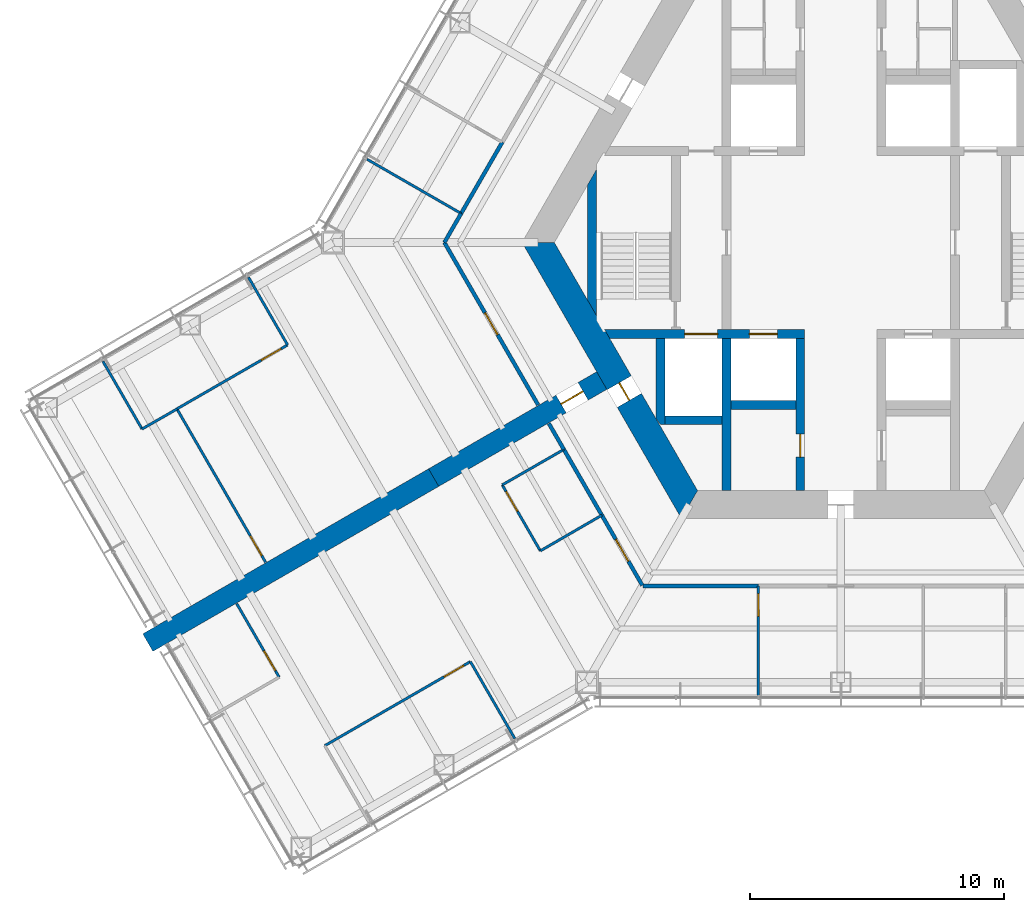
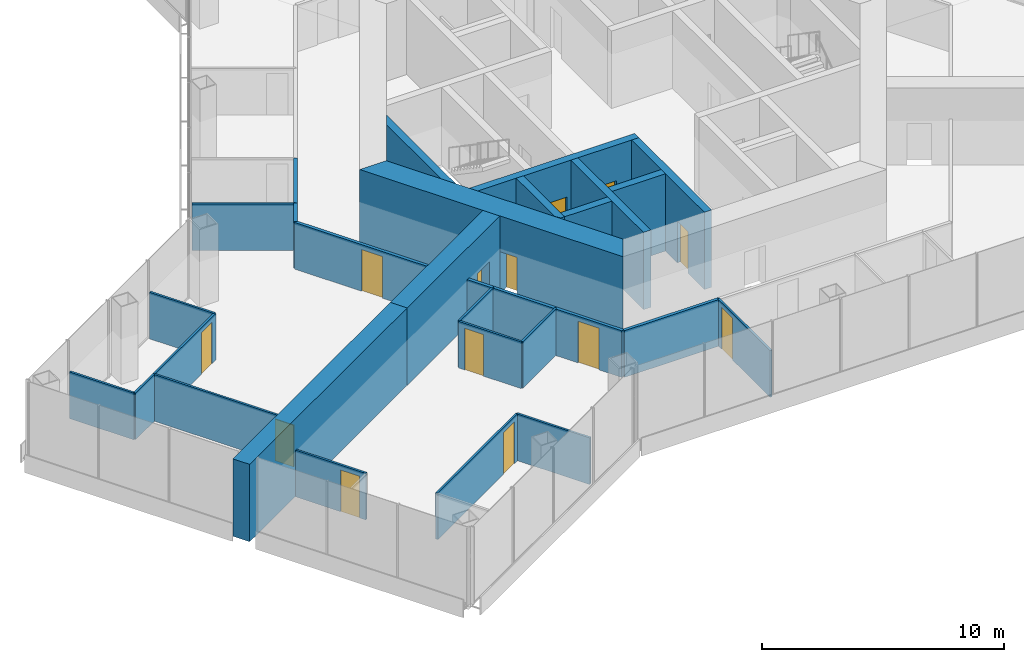
# One storey, part 12 of 18: 30 walls, 13 doors, 13 openings.
"""IFC4 building model written with IfcOpenShell, lengths in metres."""

from ifc_helpers import new_model, si_unit, direction, frame, frame_2d, origin, place, context, subcontext, project, spatial, polyline, rectangle, outline, extrude, material, layer, layer_set, type_object, element, fill, save


model = new_model("IFC4")

# Units and contexts
model_context = context("Model", 3, precision=1e-05, world=origin(), true_north=direction((0.0, 1.0)))
body_context = subcontext(model_context, "Body", "Model", "MODEL_VIEW")
ifc_project = project(units=[si_unit("LENGTHUNIT", "METRE"), si_unit("AREAUNIT", "SQUARE_METRE"), si_unit("VOLUMEUNIT", "CUBIC_METRE"), si_unit("PLANEANGLEUNIT", "RADIAN"), si_unit("MASSUNIT", "GRAM", prefix="KILO")], contexts=[model_context])

# Site, building, storey
site_placement = place(None, origin())
site = spatial("IfcSite", under=ifc_project, at=site_placement, CompositionType="ELEMENT")
building_placement = place(site_placement, origin())
building = spatial("IfcBuilding", under=site, at=building_placement, Name="Kasaneha Research Tower", CompositionType="ELEMENT")
storey_placement = place(building_placement, frame((0.0, 0.0, 119.699951171875)))
storey = spatial("IfcBuildingStorey", under=building, at=storey_placement, Name="L30", CompositionType="ELEMENT", Elevation=119.699951171875)

# Wall, openings, doors
ifc_material_1 = material(Name="Concrete Fc80", Category="concrete")
ifc_layer_1 = layer(ifc_material_1, 0.35009765625)
ifc_layer_set_1 = layer_set([ifc_layer_1], Name="Core internal wall 350 Fc80")
wall_type_1 = type_object("IfcWallType", Name="Core internal wall 350 Fc80", PredefinedType="SHEAR", material=ifc_layer_set_1)
wall_1_placement = place(storey_placement, frame((-9.208740234375, -3.60009765625, 0.0), z_axis=(0.0, 0.0, 1.0), x_axis=(1.0, 0.0, 0.0)))
wall_1 = element("IfcWall", 1, at=wall_1_placement, inside=storey, type_object=wall_type_1, Name="Core wall W2W L30", PredefinedType="SHEAR", context=body_context, shape_type="SweptSolid", body=[
    extrude(outline(polyline([(0.10107421875, -0.175048828125), (3.058837890625, -0.175048828125), (4.35888671875, -0.175048828125), (5.608642578125, -0.175048828125), (6.708740234375, -0.175048828125), (7.78369140625, -0.175048828125), (7.78369140625, 0.175048828125), (6.708740234375, 0.175048828125), (5.608642578125, 0.175048828125), (4.35888671875, 0.175048828125), (3.058837890625, 0.175048828125), (-0.10107421875, 0.175048828125), (0.10107421875, -0.175048828125)])), origin(), (0.0, 0.0, 1.0), 3.900146484375),
])
opening_1_placement = place(wall_1_placement, frame((5.608642578125, 0.0, 0.0)))
opening_1 = element("IfcOpeningElement", 2, at=opening_1_placement, cuts=wall_1, Name="Opening LD-LO2-L30", PredefinedType="OPENING", context=body_context, shape_type="SweptSolid", body=[
    extrude(rectangle(XDim=1.10009765625, YDim=2.10009765625, at=frame_2d((0.550048828125, 1.050048828125))), frame((0.0, 0.18505859375, 0.0), z_axis=(0.0, -1.0, 0.0), x_axis=(1.0, 0.0, 0.0)), (0.0, 0.0, 1.0), 0.3701171875),
])
opening_2_placement = place(wall_1_placement, frame((3.058837890625, 0.0, 0.0)))
opening_2 = element("IfcOpeningElement", 3, at=opening_2_placement, cuts=wall_1, Name="Opening LD-FL2-L30", PredefinedType="OPENING", context=body_context, shape_type="SweptSolid", body=[
    extrude(rectangle(XDim=1.300048828125, YDim=2.10009765625, at=frame_2d((0.64990234375, 1.050048828125))), frame((0.0, 0.18505859375, 0.0), z_axis=(0.0, -1.0, 0.0), x_axis=(1.0, 0.0, 0.0)), (0.0, 0.0, 1.0), 0.3701171875),
])
ifc_material_2 = material(Name="Steel", Category="steel")
door_type_1 = type_object("IfcDoorType", Name="Lift landing door 1100x2100", OperationType="DOUBLE_DOOR_SLIDING", PredefinedType="DOOR", material=ifc_material_2)
door_1_placement = place(opening_1_placement, origin())
door_1 = element("IfcDoor", 4, at=door_1_placement, inside=storey, type_object=door_type_1, Name="Landing door LO2 LD-LO2-L30", OperationType="DOUBLE_DOOR_SLIDING", OverallHeight=2.10009765625, OverallWidth=1.10009765625, PredefinedType="DOOR", context=body_context, shape_type="SweptSolid", body=[
    extrude(rectangle(XDim=1.10009765625, YDim=2.10009765625, at=frame_2d((0.550048828125, 1.050048828125))), frame((0.0, 0.02490234375, 0.0), z_axis=(0.0, -1.0, 0.0), x_axis=(1.0, 0.0, 0.0)), (0.0, 0.0, 1.0), 0.050048828125),
])
fill(opening_1, door_1)
ifc_material_3 = material(Name="Steel", Category="steel")
door_type_2 = type_object("IfcDoorType", Name="Lift landing door 1300x2100", OperationType="DOUBLE_DOOR_SLIDING", PredefinedType="DOOR", material=ifc_material_3)
door_2_placement = place(opening_2_placement, origin())
door_2 = element("IfcDoor", 5, at=door_2_placement, inside=storey, type_object=door_type_2, Name="Landing door FL2 LD-FL2-L30", OperationType="DOUBLE_DOOR_SLIDING", OverallHeight=2.10009765625, OverallWidth=1.300048828125, PredefinedType="DOOR", context=body_context, shape_type="SweptSolid", body=[
    extrude(rectangle(XDim=1.300048828125, YDim=2.10009765625, at=frame_2d((0.64990234375, 1.050048828125))), frame((0.0, 0.02490234375, 0.0), z_axis=(0.0, -1.0, 0.0), x_axis=(1.0, 0.0, 0.0)), (0.0, 0.0, 1.0), 0.050048828125),
])
fill(opening_2, door_2)

# Wall, opening, door
wall_2_placement = place(storey_placement, frame((-1.60009765625, -3.77490234375, 0.0), z_axis=(0.0, 0.0, 1.0), x_axis=(0.0, -1.0, 0.0)))
wall_2 = element("IfcWall", 6, at=wall_2_placement, inside=storey, type_object=wall_type_1, Name="Core wall CSW L30", PredefinedType="SHEAR", context=body_context, shape_type="SweptSolid", body=[
    extrude(rectangle(XDim=6.0, YDim=0.35009765625, at=frame_2d((3.0, 0.0))), origin(), (0.0, 0.0, 1.0), 3.900146484375),
])
opening_3_placement = place(wall_2_placement, frame((3.77490234375, 0.0, 0.0)))
opening_3 = element("IfcOpeningElement", 7, at=opening_3_placement, cuts=wall_2, Name="Opening L30-D16", PredefinedType="OPENING", context=body_context, shape_type="SweptSolid", body=[
    extrude(rectangle(XDim=0.89990234375, YDim=2.10009765625, at=frame_2d((0.449951171875, 1.050048828125))), frame((0.0, 0.18505859375, 0.0), z_axis=(0.0, -1.0, 0.0), x_axis=(1.0, 0.0, 0.0)), (0.0, 0.0, 1.0), 0.3701171875),
])
ifc_material_4 = material(Name="Steel", Category="steel")
door_type_3 = type_object("IfcDoorType", Name="Riser access door FD60 900x2100", OperationType="NOTDEFINED", PredefinedType="DOOR", material=ifc_material_4)
door_3_placement = place(opening_3_placement, origin())
door_3 = element("IfcDoor", 8, at=door_3_placement, inside=storey, type_object=door_type_3, Name="Electrical riser door L30-D16", OperationType="SINGLE_SWING_LEFT", OverallHeight=2.10009765625, OverallWidth=0.89990234375, PredefinedType="DOOR", context=body_context, shape_type="SweptSolid", body=[
    extrude(rectangle(XDim=0.89990234375, YDim=2.10009765625, at=frame_2d((0.449951171875, 1.050048828125))), frame((0.0, 0.02490234375, 0.0), z_axis=(0.0, -1.0, 0.0), x_axis=(1.0, 0.0, 0.0)), (0.0, 0.0, 1.0), 0.050048828125),
])
fill(opening_3, door_3)

# Walls
wall_3_placement = place(storey_placement, frame((-4.5, -3.77490234375, 0.0), z_axis=(0.0, 0.0, 1.0), x_axis=(0.0, -1.0, 0.0)))
element("IfcWall", 9, at=wall_3_placement, inside=storey, type_object=wall_type_1, Name="Core wall SSW L30", PredefinedType="SHEAR", context=body_context, shape_type="SweptSolid", body=[
    extrude(rectangle(XDim=6.0, YDim=0.35009765625, at=frame_2d((3.0, 0.0))), origin(), (0.0, 0.0, 1.0), 3.900146484375),
])
wall_4_placement = place(storey_placement, frame((-4.324951171875, -6.39990234375, 0.0), z_axis=(0.0, 0.0, 1.0), x_axis=(1.0, 0.0, 0.0)))
element("IfcWall", 10, at=wall_4_placement, inside=storey, type_object=wall_type_1, Name="Core wall S1S L30", PredefinedType="SHEAR", context=body_context, shape_type="SweptSolid", body=[
    extrude(rectangle(XDim=2.550048828125, YDim=0.35009765625, at=frame_2d((1.27490234375, 0.0))), origin(), (0.0, 0.0, 1.0), 3.900146484375),
])
wall_5_placement = place(storey_placement, frame((-6.925048828125, -7.0, 0.0), z_axis=(0.0, 0.0, 1.0), x_axis=(1.0, 0.0, 0.0)))
element("IfcWall", 11, at=wall_5_placement, inside=storey, type_object=wall_type_1, Name="Core wall F2S L30", PredefinedType="SHEAR", context=body_context, shape_type="SweptSolid", body=[
    extrude(rectangle(XDim=2.25, YDim=0.35009765625, at=frame_2d((1.125, 0.0))), origin(), (0.0, 0.0, 1.0), 3.900146484375),
])
wall_6_placement = place(storey_placement, frame((-7.10009765625, -3.77490234375, 0.0), z_axis=(0.0, 0.0, 1.0), x_axis=(0.0, -1.0, 0.0)))
element("IfcWall", 12, at=wall_6_placement, inside=storey, type_object=wall_type_1, Name="Core wall F2W L30", PredefinedType="SHEAR", context=body_context, shape_type="SweptSolid", body=[
    extrude(outline(polyline([(0.0, -0.175048828125), (3.174560546875, -0.175048828125), (3.400146484375, 0.0), (3.400146484375, 0.175048828125), (0.0, 0.175048828125), (0.0, -0.175048828125)])), origin(), (0.0, 0.0, 1.0), 3.900146484375),
])
wall_7_placement = place(storey_placement, frame((-9.807861328125, -2.562255859375, 0.0), z_axis=(0.0, 0.0, 1.0), x_axis=(0.0, 1.0, 0.0)))
element("IfcWall", 13, at=wall_7_placement, inside=storey, type_object=wall_type_1, Name="Core wall STW L30", PredefinedType="SHEAR", context=body_context, shape_type="SweptSolid", body=[
    extrude(outline(polyline([(-0.30322265625, -0.175048828125), (5.427734375, -0.175048828125), (4.8212890625, 0.175048828125), (0.30322265625, 0.175048828125), (-0.30322265625, -0.175048828125)])), origin(), (0.0, 0.0, 1.0), 3.900146484375),
])

# Wall, opening, door
ifc_material_5 = material(Name="Concrete Fc80", Category="concrete")
ifc_layer_2 = layer(ifc_material_5, 1.10009765625)
ifc_layer_set_2 = layer_set([ifc_layer_2], Name="Core wall 1100 Fc80")
wall_type_2 = type_object("IfcWallType", Name="Core wall 1100 Fc80", PredefinedType="SHEAR", material=ifc_layer_set_2)
wall_8_placement = place(storey_placement, frame((-11.92236328125, 0.0, 0.0), z_axis=(0.0, 0.0, 1.0), x_axis=(0.500004296715, -0.866022923061, 0.0)))
wall_8 = element("IfcWall", 14, at=wall_8_placement, inside=storey, type_object=wall_type_2, Name="Core wall 210 L30", PredefinedType="SHEAR", context=body_context, shape_type="SweptSolid", body=[
    extrude(outline(polyline([(-0.317626953125, -0.550048828125), (6.381103515625, -0.550048828125), (7.18115234375, -0.550048828125), (12.239990234375, -0.550048828125), (11.604736328125, 0.550048828125), (7.18115234375, 0.550048828125), (6.381103515625, 0.550048828125), (0.317626953125, 0.550048828125), (-0.317626953125, -0.550048828125)])), origin(), (0.0, 0.0, 1.0), 3.900146484375),
])
opening_4_placement = place(wall_8_placement, frame((6.381103515625, 0.0, 0.0)))
opening_4 = element("IfcOpeningElement", 15, at=opening_4_placement, cuts=wall_8, Name="Opening L30-D06", PredefinedType="OPENING", context=body_context, shape_type="SweptSolid", body=[
    extrude(rectangle(XDim=0.800048828125, YDim=2.10009765625, at=frame_2d((0.39990234375, 1.050048828125))), frame((0.0, 0.56005859375, 0.0), z_axis=(0.0, -1.0, 0.0), x_axis=(1.0, 0.0, 0.0)), (0.0, 0.0, 1.0), 1.1201171875),
])
ifc_material_6 = material(Name="Steel", Category="steel")
door_type_4 = type_object("IfcDoorType", Name="Riser access door FD60 800x2100", OperationType="NOTDEFINED", PredefinedType="DOOR", material=ifc_material_6)
door_4_placement = place(opening_4_placement, origin())
door_4 = element("IfcDoor", 16, at=door_4_placement, inside=storey, type_object=door_type_4, Name="Duct riser door L30-D06", OperationType="SINGLE_SWING_RIGHT", OverallHeight=2.10009765625, OverallWidth=0.800048828125, PredefinedType="DOOR", context=body_context, shape_type="SweptSolid", body=[
    extrude(rectangle(XDim=0.800048828125, YDim=2.10009765625, at=frame_2d((0.39990234375, 1.050048828125))), frame((0.0, 0.02490234375, 0.0), z_axis=(0.0, -1.0, 0.0), x_axis=(1.0, 0.0, 0.0)), (0.0, 0.0, 1.0), 0.050048828125),
])
fill(opening_4, door_4)

# Walls
ifc_material_7 = material(Name="Gypsum board on steel studs, one layer each side", Category="steel")
ifc_layer_3 = layer(ifc_material_7, 0.10009765625)
ifc_layer_set_3 = layer_set([ifc_layer_3], Name="Office partition 100")
wall_type_3 = type_object("IfcWallType", Name="Office partition 100", PredefinedType="PARTITIONING", material=ifc_layer_set_3)
wall_9_placement = place(storey_placement, frame((-29.065185546875, -4.6796875, 0.0), z_axis=(0.0, 0.0, 1.0), x_axis=(0.500120427123, -0.865955863987, 0.0)))
element("IfcWall", 17, at=wall_9_placement, inside=storey, type_object=wall_type_3, Name="Office partition FBN06 L30", PredefinedType="PARTITIONING", context=body_context, shape_type="SweptSolid", body=[
    extrude(rectangle(XDim=3.079833984375, YDim=0.10009765625, at=frame_2d((1.5400390625, 0.0))), origin(), (0.0, 0.0, 1.0), 2.35009765625),
])
wall_10_placement = place(storey_placement, frame((-27.52490234375, -7.3466796875, 0.0), z_axis=(0.0, 0.0, 1.0), x_axis=(0.867571917523, 0.497311741191, 0.0)))
element("IfcWall", 18, at=wall_10_placement, inside=storey, type_object=wall_type_3, Name="Office partition FBN07 L30", PredefinedType="PARTITIONING", context=body_context, shape_type="SweptSolid", body=[
    extrude(rectangle(XDim=1.591064453125, YDim=0.10009765625, at=frame_2d((0.79541015625, 0.0))), origin(), (0.0, 0.0, 1.0), 2.35009765625),
])

# Wall, opening, door
wall_11_placement = place(storey_placement, frame((-26.151123046875, -6.55419921875, 0.0), z_axis=(0.0, 0.0, 1.0), x_axis=(0.500528756763, -0.865719910625, 0.0)))
wall_11 = element("IfcWall", 19, at=wall_11_placement, inside=storey, type_object=wall_type_3, Name="Office partition FBN08 L30", PredefinedType="PARTITIONING", context=body_context, shape_type="SweptSolid", body=[
    extrude(rectangle(XDim=6.9794921875, YDim=0.10009765625, at=frame_2d((3.48974609375, 0.0))), origin(), (0.0, 0.0, 1.0), 2.35009765625),
])
opening_5_placement = place(wall_11_placement, frame((5.779541015625, 0.0, 0.0)))
opening_5 = element("IfcOpeningElement", 20, at=opening_5_placement, cuts=wall_11, Name="Opening L30-D36", PredefinedType="OPENING", context=body_context, shape_type="SweptSolid", body=[
    extrude(rectangle(XDim=0.89990234375, YDim=2.10009765625, at=frame_2d((0.449951171875, 1.050048828125))), frame((0.0, 0.06005859375, 0.0), z_axis=(0.0, -1.0, 0.0), x_axis=(1.0, 0.0, 0.0)), (0.0, 0.0, 1.0), 0.1201171875),
])
ifc_material_8 = material(Name="Timber veneer", Category="wood")
door_type_5 = type_object("IfcDoorType", Name="Office door 900x2100", OperationType="SINGLE_SWING_LEFT", PredefinedType="DOOR", material=ifc_material_8)
door_5_placement = place(opening_5_placement, origin())
door_5 = element("IfcDoor", 21, at=door_5_placement, inside=storey, type_object=door_type_5, Name="Large meeting room door L30-D36", OperationType="SINGLE_SWING_RIGHT", OverallHeight=2.10009765625, OverallWidth=0.89990234375, PredefinedType="DOOR", context=body_context, shape_type="SweptSolid", body=[
    extrude(rectangle(XDim=0.89990234375, YDim=2.10009765625, at=frame_2d((0.449951171875, 1.050048828125))), frame((0.0, 0.02490234375, 0.0), z_axis=(0.0, -1.0, 0.0), x_axis=(1.0, 0.0, 0.0)), (0.0, 0.0, 1.0), 0.050048828125),
])
fill(opening_5, door_5)

# Walls
wall_12_placement = place(storey_placement, frame((-14.957275390625, 1.143310546875, 0.0), z_axis=(0.0, 0.0, 1.0), x_axis=(-0.86652666665, 0.499130780441, 0.0)))
element("IfcWall", 22, at=wall_12_placement, inside=storey, type_object=wall_type_3, Name="Office partition FBN10 L30", PredefinedType="PARTITIONING", context=body_context, shape_type="SweptSolid", body=[
    extrude(rectangle(XDim=4.275390625, YDim=0.10009765625, at=frame_2d((2.1376953125, 0.0))), origin(), (0.0, 0.0, 1.0), 2.35009765625),
])
wall_13_placement = place(storey_placement, frame((-23.332275390625, -1.36962890625, 0.0), z_axis=(0.0, 0.0, 1.0), x_axis=(0.499992328818, -0.866029832698, 0.0)))
element("IfcWall", 23, at=wall_13_placement, inside=storey, type_object=wall_type_3, Name="Office partition FBN12 L30", PredefinedType="PARTITIONING", context=body_context, shape_type="SweptSolid", body=[
    extrude(rectangle(XDim=3.080078125, YDim=0.10009765625, at=frame_2d((1.5400390625, 0.0))), origin(), (0.0, 0.0, 1.0), 2.35009765625),
])

# Wall, opening, door
wall_14_placement = place(storey_placement, frame((-21.792236328125, -4.037109375, 0.0), z_axis=(0.0, 0.0, 1.0), x_axis=(-0.866037775365, -0.499978571182, 0.0)))
wall_14 = element("IfcWall", 24, at=wall_14_placement, inside=storey, type_object=wall_type_3, Name="Office partition FBN13 L30", PredefinedType="PARTITIONING", context=body_context, shape_type="SweptSolid", body=[
    extrude(rectangle(XDim=5.033447265625, YDim=0.10009765625, at=frame_2d((2.5166015625, 0.0))), origin(), (0.0, 0.0, 1.0), 2.35009765625),
])
opening_6_placement = place(wall_14_placement, frame((0.300048828125, 0.0, 0.0)))
opening_6 = element("IfcOpeningElement", 25, at=opening_6_placement, cuts=wall_14, Name="Opening L30-D39", PredefinedType="OPENING", context=body_context, shape_type="SweptSolid", body=[
    extrude(rectangle(XDim=0.89990234375, YDim=2.10009765625, at=frame_2d((0.449951171875, 1.050048828125))), frame((0.0, 0.06005859375, 0.0), z_axis=(0.0, -1.0, 0.0), x_axis=(1.0, 0.0, 0.0)), (0.0, 0.0, 1.0), 0.1201171875),
])
door_6_placement = place(opening_6_placement, origin())
door_6 = element("IfcDoor", 26, at=door_6_placement, inside=storey, type_object=door_type_5, Name="Manager's office door L30-D39", OperationType="SINGLE_SWING_LEFT", OverallHeight=2.10009765625, OverallWidth=0.89990234375, PredefinedType="DOOR", context=body_context, shape_type="SweptSolid", body=[
    extrude(rectangle(XDim=0.89990234375, YDim=2.10009765625, at=frame_2d((0.449951171875, 1.050048828125))), frame((0.0, 0.02490234375, 0.0), z_axis=(0.0, -1.0, 0.0), x_axis=(1.0, 0.0, 0.0)), (0.0, 0.0, 1.0), 0.050048828125),
])
fill(opening_6, door_6)

# Wall
wall_15_placement = place(storey_placement, frame((-13.337890625, -9.548095703125, 0.0), z_axis=(0.0, 0.0, 1.0), x_axis=(0.866833758708, 0.498597267105, 0.0)))
element("IfcWall", 27, at=wall_15_placement, inside=storey, type_object=wall_type_3, Name="Office partition FBS04 L30", PredefinedType="PARTITIONING", context=body_context, shape_type="SweptSolid", body=[
    extrude(rectangle(XDim=2.7998046875, YDim=0.10009765625, at=frame_2d((1.39990234375, 0.0))), origin(), (0.0, 0.0, 1.0), 2.35009765625),
])

# Wall, opening, door
wall_16_placement = place(storey_placement, frame((-11.837890625, -12.146240234375, 0.0), z_axis=(0.0, 0.0, 1.0), x_axis=(-0.499990139034, 0.866031096941, 0.0)))
wall_16 = element("IfcWall", 28, at=wall_16_placement, inside=storey, type_object=wall_type_3, Name="Office partition FBS05 L30", PredefinedType="PARTITIONING", context=body_context, shape_type="SweptSolid", body=[
    extrude(rectangle(XDim=3.0, YDim=0.10009765625, at=frame_2d((1.5, 0.0))), origin(), (0.0, 0.0, 1.0), 2.35009765625),
])
opening_7_placement = place(wall_16_placement, frame((1.800048828125, 0.0, 0.0)))
opening_7 = element("IfcOpeningElement", 29, at=opening_7_placement, cuts=wall_16, Name="Opening L30-D41", PredefinedType="OPENING", context=body_context, shape_type="SweptSolid", body=[
    extrude(rectangle(XDim=0.89990234375, YDim=2.10009765625, at=frame_2d((0.449951171875, 1.050048828125))), frame((0.0, 0.06005859375, 0.0), z_axis=(0.0, -1.0, 0.0), x_axis=(1.0, 0.0, 0.0)), (0.0, 0.0, 1.0), 0.1201171875),
])
door_7_placement = place(opening_7_placement, origin())
door_7 = element("IfcDoor", 30, at=door_7_placement, inside=storey, type_object=door_type_5, Name="Pantry door L30-D41", OperationType="SINGLE_SWING_RIGHT", OverallHeight=2.10009765625, OverallWidth=0.89990234375, PredefinedType="DOOR", context=body_context, shape_type="SweptSolid", body=[
    extrude(rectangle(XDim=0.89990234375, YDim=2.10009765625, at=frame_2d((0.449951171875, 1.050048828125))), frame((0.0, 0.02490234375, 0.0), z_axis=(0.0, -1.0, 0.0), x_axis=(1.0, 0.0, 0.0)), (0.0, 0.0, 1.0), 0.050048828125),
])
fill(opening_7, door_7)

# Wall
wall_17_placement = place(storey_placement, frame((-9.415283203125, -10.7421875, 0.0), z_axis=(0.0, 0.0, 1.0), x_axis=(-0.865195372903, -0.501434907746, 0.0)))
element("IfcWall", 31, at=wall_17_placement, inside=storey, type_object=wall_type_3, Name="Office partition FBS06 L30", PredefinedType="PARTITIONING", context=body_context, shape_type="SweptSolid", body=[
    extrude(rectangle(XDim=2.800048828125, YDim=0.10009765625, at=frame_2d((1.39990234375, 0.0))), origin(), (0.0, 0.0, 1.0), 2.35009765625),
])

# Wall, opening, door
wall_18_placement = place(storey_placement, frame((-20.324951171875, -19.8173828125, 0.0), z_axis=(0.0, 0.0, 1.0), x_axis=(0.866037567856, 0.499978930619, 0.0)))
wall_18 = element("IfcWall", 32, at=wall_18_placement, inside=storey, type_object=wall_type_3, Name="Office partition FBS07 L30", PredefinedType="PARTITIONING", context=body_context, shape_type="SweptSolid", body=[
    extrude(rectangle(XDim=6.619384765625, YDim=0.10009765625, at=frame_2d((3.3095703125, 0.0))), origin(), (0.0, 0.0, 1.0), 2.35009765625),
])
opening_8_placement = place(wall_18_placement, frame((5.419677734375, 0.0, 0.0)))
opening_8 = element("IfcOpeningElement", 33, at=opening_8_placement, cuts=wall_18, Name="Opening L30-D42", PredefinedType="OPENING", context=body_context, shape_type="SweptSolid", body=[
    extrude(rectangle(XDim=0.89990234375, YDim=2.10009765625, at=frame_2d((0.449951171875, 1.050048828125))), frame((0.0, 0.06005859375, 0.0), z_axis=(0.0, -1.0, 0.0), x_axis=(1.0, 0.0, 0.0)), (0.0, 0.0, 1.0), 0.1201171875),
])
door_8_placement = place(opening_8_placement, origin())
door_8 = element("IfcDoor", 34, at=door_8_placement, inside=storey, type_object=door_type_5, Name="Meeting room door L30-D42", OperationType="SINGLE_SWING_RIGHT", OverallHeight=2.10009765625, OverallWidth=0.89990234375, PredefinedType="DOOR", context=body_context, shape_type="SweptSolid", body=[
    extrude(rectangle(XDim=0.89990234375, YDim=2.10009765625, at=frame_2d((0.449951171875, 1.050048828125))), frame((0.0, 0.02490234375, 0.0), z_axis=(0.0, -1.0, 0.0), x_axis=(1.0, 0.0, 0.0)), (0.0, 0.0, 1.0), 0.050048828125),
])
fill(opening_8, door_8)

# Wall
wall_19_placement = place(storey_placement, frame((-14.59228515625, -16.5078125, 0.0), z_axis=(0.0, 0.0, 1.0), x_axis=(0.500010275428, -0.866019471182, 0.0)))
element("IfcWall", 35, at=wall_19_placement, inside=storey, type_object=wall_type_3, Name="Office partition FBS09 L30", PredefinedType="PARTITIONING", context=body_context, shape_type="SweptSolid", body=[
    extrude(rectangle(XDim=3.5, YDim=0.10009765625, at=frame_2d((1.75, 0.0))), origin(), (0.0, 0.0, 1.0), 2.35009765625),
])

# Wall, opening, door
wall_20_placement = place(storey_placement, frame((-23.796630859375, -14.22412109375, 0.0), z_axis=(0.0, 0.0, 1.0), x_axis=(0.500015043844, -0.866016718043, 0.0)))
wall_20 = element("IfcWall", 36, at=wall_20_placement, inside=storey, type_object=wall_type_3, Name="Office partition FBS10 L30", PredefinedType="PARTITIONING", context=body_context, shape_type="SweptSolid", body=[
    extrude(rectangle(XDim=3.3466796875, YDim=0.10009765625, at=frame_2d((1.67333984375, 0.0))), origin(), (0.0, 0.0, 1.0), 2.35009765625),
])
opening_9_placement = place(wall_20_placement, frame((2.146728515625, 0.0, 0.0)))
opening_9 = element("IfcOpeningElement", 37, at=opening_9_placement, cuts=wall_20, Name="Opening L30-D43", PredefinedType="OPENING", context=body_context, shape_type="SweptSolid", body=[
    extrude(rectangle(XDim=0.89990234375, YDim=2.10009765625, at=frame_2d((0.449951171875, 1.050048828125))), frame((0.0, 0.06005859375, 0.0), z_axis=(0.0, -1.0, 0.0), x_axis=(1.0, 0.0, 0.0)), (0.0, 0.0, 1.0), 0.1201171875),
])
door_9_placement = place(opening_9_placement, origin())
door_9 = element("IfcDoor", 38, at=door_9_placement, inside=storey, type_object=door_type_5, Name="Project room door L30-D43", OperationType="SINGLE_SWING_RIGHT", OverallHeight=2.10009765625, OverallWidth=0.89990234375, PredefinedType="DOOR", context=body_context, shape_type="SweptSolid", body=[
    extrude(rectangle(XDim=0.89990234375, YDim=2.10009765625, at=frame_2d((0.449951171875, 1.050048828125))), frame((0.0, 0.02490234375, 0.0), z_axis=(0.0, -1.0, 0.0), x_axis=(1.0, 0.0, 0.0)), (0.0, 0.0, 1.0), 0.050048828125),
])
fill(opening_9, door_9)

wall_21_placement = place(storey_placement, frame((-3.2509765625, -13.52490234375, 0.0), z_axis=(0.0, 0.0, 1.0), x_axis=(0.00107362768, -0.999999423662, 0.0)))
wall_21 = element("IfcWall", 39, at=wall_21_placement, inside=storey, type_object=wall_type_3, Name="Office partition FCS11 L30", PredefinedType="PARTITIONING", context=body_context, shape_type="SweptSolid", body=[
    extrude(rectangle(XDim=4.320556640625, YDim=0.10009765625, at=frame_2d((2.16015625, 0.0))), origin(), (0.0, 0.0, 1.0), 2.35009765625),
])
opening_10_placement = place(wall_21_placement, frame((0.300048828125, 0.0, 0.0)))
opening_10 = element("IfcOpeningElement", 40, at=opening_10_placement, cuts=wall_21, Name="Opening L30-D51", PredefinedType="OPENING", context=body_context, shape_type="SweptSolid", body=[
    extrude(rectangle(XDim=0.89990234375, YDim=2.10009765625, at=frame_2d((0.449951171875, 1.050048828125))), frame((0.0, 0.06005859375, 0.0), z_axis=(0.0, -1.0, 0.0), x_axis=(1.0, 0.0, 0.0)), (0.0, 0.0, 1.0), 0.1201171875),
])
door_10_placement = place(opening_10_placement, origin())
door_10 = element("IfcDoor", 41, at=door_10_placement, inside=storey, type_object=door_type_5, Name="Manager's office door L30-D51", OperationType="SINGLE_SWING_LEFT", OverallHeight=2.10009765625, OverallWidth=0.89990234375, PredefinedType="DOOR", context=body_context, shape_type="SweptSolid", body=[
    extrude(rectangle(XDim=0.89990234375, YDim=2.10009765625, at=frame_2d((0.449951171875, 1.050048828125))), frame((0.0, 0.02490234375, 0.0), z_axis=(0.0, -1.0, 0.0), x_axis=(1.0, 0.0, 0.0)), (0.0, 0.0, 1.0), 0.050048828125),
])
fill(opening_10, door_10)

ifc_material_9 = material(Name="Concrete Fc80", Category="concrete")
ifc_layer_4 = layer(ifc_material_9, 0.800048828125)
ifc_layer_set_4 = layer_set([ifc_layer_4], Name="Spine wall 800 Fc80")
wall_type_4 = type_object("IfcWallType", Name="Spine wall 800 Fc80", PredefinedType="SHEAR", material=ifc_layer_set_4)
wall_22_placement = place(storey_placement, frame((-9.41796875, -5.4375, 0.0), z_axis=(0.0, 0.0, 1.0), x_axis=(-0.866029782078, -0.499992416496, 0.0)))
wall_22 = element("IfcWall", 42, at=wall_22_placement, inside=storey, type_object=wall_type_4, Name="Spine wall B L30", PredefinedType="SHEAR", context=body_context, shape_type="SweptSolid", body=[
    extrude(rectangle(XDim=7.6455078125, YDim=0.800048828125, at=frame_2d((3.82275390625, 0.0))), origin(), (0.0, 0.0, 1.0), 3.900146484375),
])
opening_11_placement = place(wall_22_placement, frame((0.85009765625, 0.0, 0.0)))
opening_11 = element("IfcOpeningElement", 43, at=opening_11_placement, cuts=wall_22, Name="Opening L30-D18", PredefinedType="OPENING", context=body_context, shape_type="SweptSolid", body=[
    extrude(rectangle(XDim=1.0, YDim=2.10009765625, at=frame_2d((0.5, 1.050048828125))), frame((0.0, 0.41015625, 0.0), z_axis=(0.0, -1.0, 0.0), x_axis=(1.0, 0.0, 0.0)), (0.0, 0.0, 1.0), 0.820068359375),
])
ifc_material_10 = material(Name="Steel", Category="steel")
door_type_6 = type_object("IfcDoorType", Name="Specified fire door FD60 1000x2100", OperationType="NOTDEFINED", PredefinedType="DOOR", material=ifc_material_10)
door_11_placement = place(opening_11_placement, origin())
door_11 = element("IfcDoor", 44, at=door_11_placement, inside=storey, type_object=door_type_6, Name="Spine doorway B L30-D18", OperationType="SINGLE_SWING_LEFT", OverallHeight=2.10009765625, OverallWidth=1.0, PredefinedType="DOOR", context=body_context, shape_type="SweptSolid", body=[
    extrude(rectangle(XDim=1.0, YDim=2.10009765625, at=frame_2d((0.5, 1.050048828125))), frame((0.0, 0.02490234375, 0.0), z_axis=(0.0, -1.0, 0.0), x_axis=(1.0, 0.0, 0.0)), (0.0, 0.0, 1.0), 0.050048828125),
])
fill(opening_11, door_11)

# Walls
wall_23_placement = place(storey_placement, frame((-16.039306640625, -9.26025390625, 0.0), z_axis=(0.0, 0.0, 1.0), x_axis=(-0.866024837091, -0.50000098154, 0.0)))
element("IfcWall", 45, at=wall_23_placement, inside=storey, type_object=wall_type_4, Name="Spine wall B wing L30", PredefinedType="SHEAR", context=body_context, shape_type="SweptSolid", body=[
    extrude(rectangle(XDim=13.0, YDim=0.800048828125, at=frame_2d((6.5, 0.0))), origin(), (0.0, 0.0, 1.0), 3.900146484375),
])
ifc_material_11 = material(Name="Gypsum board on steel studs, two layers each side", Category="steel")
ifc_layer_5 = layer(ifc_material_11, 0.14990234375)
ifc_layer_set_5 = layer_set([ifc_layer_5], Name="Suite partition 150")
wall_type_5 = type_object("IfcWallType", Name="Suite partition 150", PredefinedType="PARTITIONING", material=ifc_layer_set_5)
wall_24_placement = place(storey_placement, frame((-14.9619140625, 1.13525390625, 0.0), z_axis=(0.0, 0.0, 1.0), x_axis=(0.500001520505, 0.866024525919, 0.0)))
element("IfcWall", 46, at=wall_24_placement, inside=storey, type_object=wall_type_5, Name="Suite partition FBN02 L30", PredefinedType="PARTITIONING", context=body_context, shape_type="SweptSolid", body=[
    extrude(rectangle(XDim=3.25634765625, YDim=0.14990234375, at=frame_2d((1.628173828125, 0.0))), origin(), (0.0, 0.0, 1.0), 2.35009765625),
])
wall_25_placement = place(storey_placement, frame((-15.6171875, 0.0, 0.0), z_axis=(0.0, 0.0, 1.0), x_axis=(0.499898558967, 0.866083962871, 0.0)))
element("IfcWall", 47, at=wall_25_placement, inside=storey, type_object=wall_type_5, Name="Suite partition FBN03 L30", PredefinedType="PARTITIONING", context=body_context, shape_type="SweptSolid", body=[
    extrude(rectangle(XDim=1.320068359375, YDim=0.14990234375, at=frame_2d((0.66015625, 0.0))), origin(), (0.0, 0.0, 1.0), 2.35009765625),
])

# Wall, opening, door
wall_26_placement = place(storey_placement, frame((-11.923095703125, -6.398681640625, 0.0), z_axis=(0.0, 0.0, 1.0), x_axis=(-0.499980837837, 0.866036466782, 0.0)))
wall_26 = element("IfcWall", 48, at=wall_26_placement, inside=storey, type_object=wall_type_5, Name="Suite partition FBN04 L30", PredefinedType="PARTITIONING", context=body_context, shape_type="SweptSolid", body=[
    extrude(rectangle(XDim=7.388427734375, YDim=0.14990234375, at=frame_2d((3.6943359375, 0.0))), origin(), (0.0, 0.0, 1.0), 2.35009765625),
])
opening_12_placement = place(wall_26_placement, frame((3.1943359375, 0.0, 0.0)))
opening_12 = element("IfcOpeningElement", 49, at=opening_12_placement, cuts=wall_26, Name="Opening L30-D34", PredefinedType="OPENING", context=body_context, shape_type="SweptSolid", body=[
    extrude(rectangle(XDim=1.0, YDim=2.10009765625, at=frame_2d((0.5, 1.050048828125))), frame((0.0, 0.0849609375, 0.0), z_axis=(0.0, -1.0, 0.0), x_axis=(1.0, 0.0, 0.0)), (0.0, 0.0, 1.0), 0.169921875),
])
ifc_material_12 = material(Name="Steel", Category="steel")
door_type_7 = type_object("IfcDoorType", Name="Suite entrance door FD60 1000x2100", OperationType="NOTDEFINED", PredefinedType="DOOR", material=ifc_material_12)
door_12_placement = place(opening_12_placement, origin())
door_12 = element("IfcDoor", 50, at=door_12_placement, inside=storey, type_object=door_type_7, Name="Suite entrance door L30-D34", OperationType="SINGLE_SWING_RIGHT", OverallHeight=2.10009765625, OverallWidth=1.0, PredefinedType="DOOR", context=body_context, shape_type="SweptSolid", body=[
    extrude(rectangle(XDim=1.0, YDim=2.10009765625, at=frame_2d((0.5, 1.050048828125))), frame((0.0, 0.02490234375, 0.0), z_axis=(0.0, -1.0, 0.0), x_axis=(1.0, 0.0, 0.0)), (0.0, 0.0, 1.0), 0.050048828125),
])
fill(opening_12, door_12)

# Walls
wall_27_placement = place(storey_placement, frame((-9.410400390625, -10.75048828125, 0.0), z_axis=(0.0, 0.0, 1.0), x_axis=(-0.500038395149, 0.8660032352, 0.0)))
element("IfcWall", 51, at=wall_27_placement, inside=storey, type_object=wall_type_5, Name="Suite partition FBS01 L30", PredefinedType="PARTITIONING", context=body_context, shape_type="SweptSolid", body=[
    extrude(rectangle(XDim=3.010009765625, YDim=0.14990234375, at=frame_2d((1.5048828125, 0.0))), origin(), (0.0, 0.0, 1.0), 2.35009765625),
])
wall_28_placement = place(storey_placement, frame((-10.910888671875, -8.152099609375, 0.0), z_axis=(0.0, 0.0, 1.0), x_axis=(-0.499841408252, 0.866116947413, 0.0)))
element("IfcWall", 52, at=wall_28_placement, inside=storey, type_object=wall_type_5, Name="Suite partition FBS02 L30", PredefinedType="PARTITIONING", context=body_context, shape_type="SweptSolid", body=[
    extrude(rectangle(XDim=1.1845703125, YDim=0.14990234375, at=frame_2d((0.59228515625, 0.0))), origin(), (0.0, 0.0, 1.0), 2.35009765625),
])

# Wall, opening, door
wall_29_placement = place(storey_placement, frame((-7.8203125, -13.5048828125, 0.0), z_axis=(0.0, 0.0, 1.0), x_axis=(-0.499983030129, 0.866035201123, 0.0)))
wall_29 = element("IfcWall", 53, at=wall_29_placement, inside=storey, type_object=wall_type_5, Name="Suite partition FBS03 L30", PredefinedType="PARTITIONING", context=body_context, shape_type="SweptSolid", body=[
    extrude(rectangle(XDim=3.18994140625, YDim=0.14990234375, at=frame_2d((1.594970703125, 0.0))), origin(), (0.0, 0.0, 1.0), 2.35009765625),
])
opening_13_placement = place(wall_29_placement, frame((1.094970703125, 0.0, 0.0)))
opening_13 = element("IfcOpeningElement", 54, at=opening_13_placement, cuts=wall_29, Name="Opening L30-D40", PredefinedType="OPENING", context=body_context, shape_type="SweptSolid", body=[
    extrude(rectangle(XDim=1.0, YDim=2.10009765625, at=frame_2d((0.5, 1.050048828125))), frame((0.0, 0.0849609375, 0.0), z_axis=(0.0, -1.0, 0.0), x_axis=(1.0, 0.0, 0.0)), (0.0, 0.0, 1.0), 0.169921875),
])
door_13_placement = place(opening_13_placement, origin())
door_13 = element("IfcDoor", 55, at=door_13_placement, inside=storey, type_object=door_type_7, Name="Suite entrance door L30-D40", OperationType="SINGLE_SWING_RIGHT", OverallHeight=2.10009765625, OverallWidth=1.0, PredefinedType="DOOR", context=body_context, shape_type="SweptSolid", body=[
    extrude(rectangle(XDim=1.0, YDim=2.10009765625, at=frame_2d((0.5, 1.050048828125))), frame((0.0, 0.02490234375, 0.0), z_axis=(0.0, -1.0, 0.0), x_axis=(1.0, 0.0, 0.0)), (0.0, 0.0, 1.0), 0.050048828125),
])
fill(opening_13, door_13)

# Wall
wall_30_placement = place(storey_placement, frame((-3.241455078125, -13.52490234375, 0.0), z_axis=(0.0, 0.0, 1.0), x_axis=(-1.0, 0.0, 0.0)))
element("IfcWall", 56, at=wall_30_placement, inside=storey, type_object=wall_type_5, Name="Suite partition FCS02 L30", PredefinedType="PARTITIONING", context=body_context, shape_type="SweptSolid", body=[
    extrude(rectangle(XDim=4.544189453125, YDim=0.14990234375, at=frame_2d((2.27197265625, 0.0))), origin(), (0.0, 0.0, 1.0), 2.35009765625),
])

save(model, "model.ifc")
